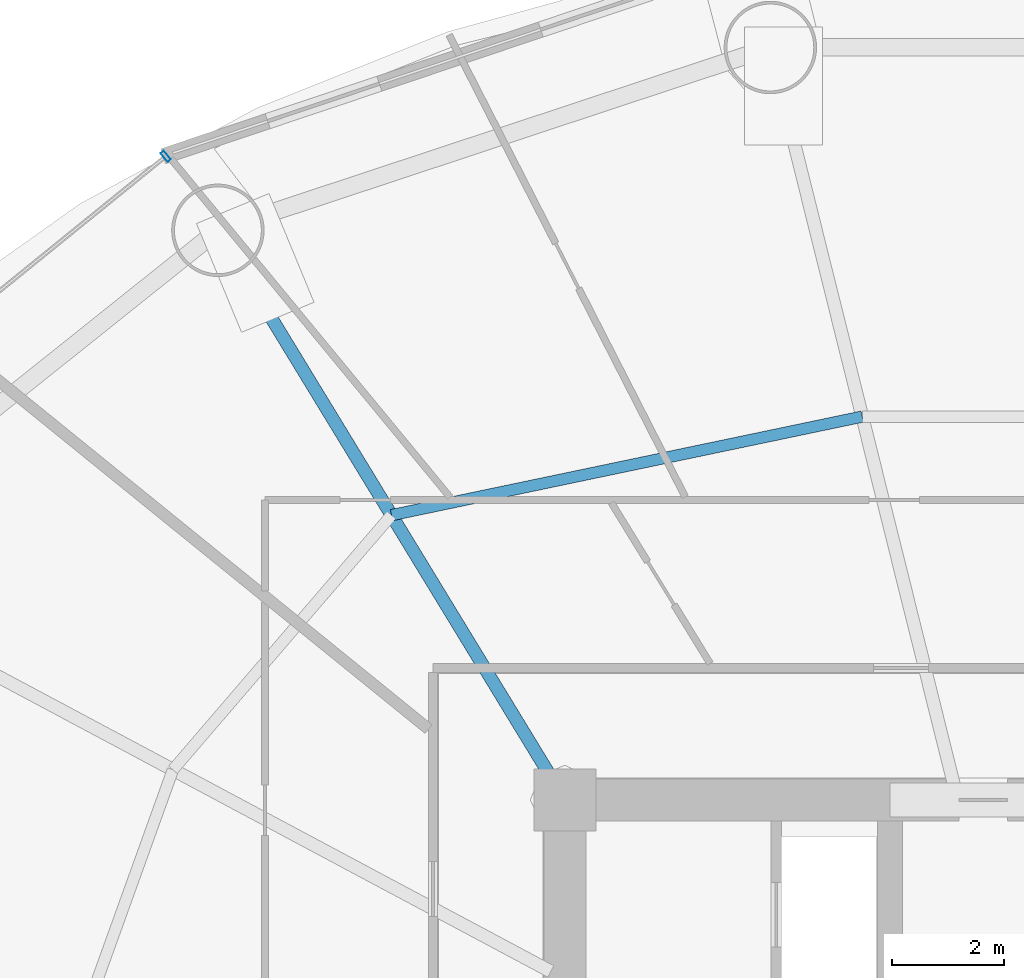
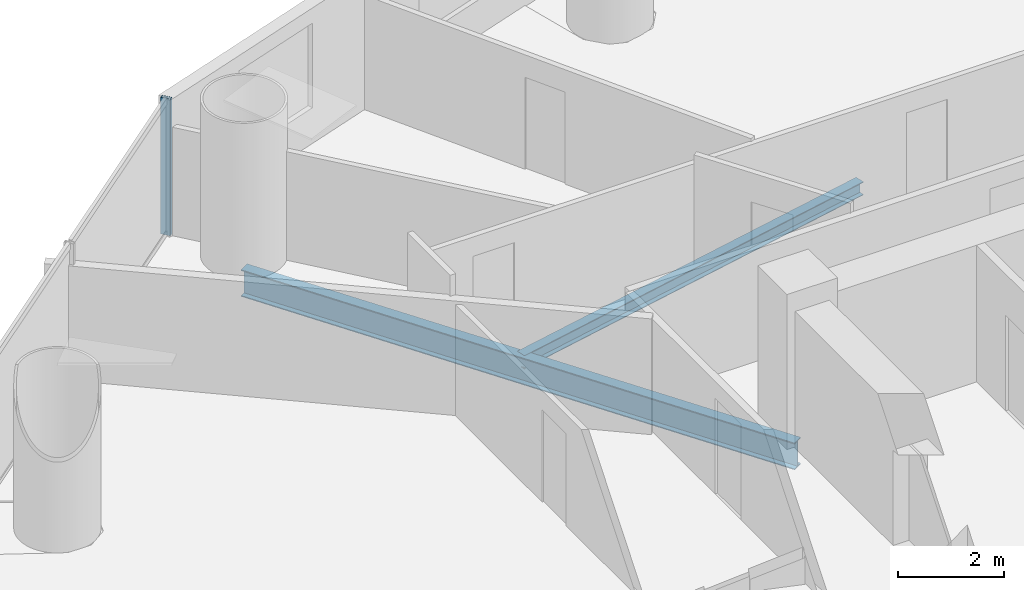
# One storey, part 16 of 29: 2 beams, 1 member, 1 element without a shape of its own.
"""IFC4 building model written with IfcOpenShell, lengths in metres."""

from ifc_helpers import new_model, si_unit, direction, frame, origin, origin_2d, place, context, subcontext, project, spatial, hollow_rectangle, i_section, extrude, source, transform, mapped, material, material_profile, profile_set, type_object, element, aggregate, save


model = new_model("IFC4")

# Units and contexts
model_context = context("Model", 3, precision=1e-05, world=origin(), true_north=direction((-0.2419218956, 0.970295726276)))
body_context = subcontext(model_context, "Body", "Model", "MODEL_VIEW")
ifc_project = project(units=[si_unit("LENGTHUNIT", "METRE"), si_unit("AREAUNIT", "SQUARE_METRE"), si_unit("VOLUMEUNIT", "CUBIC_METRE"), si_unit("PLANEANGLEUNIT", "RADIAN"), si_unit("MASSUNIT", "GRAM", prefix="KILO")], contexts=[model_context])

# Site, building, storey
site_placement = place(None, origin())
site = spatial("IfcSite", under=ifc_project, at=site_placement, CompositionType="ELEMENT")
building_placement = place(site_placement, origin())
building = spatial("IfcBuilding", under=site, at=building_placement, Name="Cobrevalo Terracotta Tower", CompositionType="ELEMENT")
storey_placement = place(building_placement, frame((0.0, 0.0, 70.800048828125)))
storey = spatial("IfcBuildingStorey", under=building, at=storey_placement, Name="L18", CompositionType="ELEMENT", Elevation=70.800048828125)

# Beams
ifc_material_1 = material(Name="Steel S355", Category="steel")
ifc_material_profile_1 = material_profile(ifc_material_1, i_section(OverallWidth=0.22998046875, OverallDepth=0.616943359375, WebThickness=0.01318359375, FlangeThickness=0.022216796875, at=origin_2d()), Name="W 610x140")
ifc_profile_set_1 = profile_set([ifc_material_profile_1], Name="Steel S355")
beam_type_1 = type_object("IfcBeamType", Name="Structural Beam W 610x140 (Steel S355)", PredefinedType="BEAM", material=ifc_profile_set_1)
beam_1_placement = place(storey_placement, frame((22.80517578125, 44.967529296875, -0.588623046875), z_axis=(0.520309892051, -0.853977526773, 0.0), x_axis=(0.853977526773, 0.520309892051, 0.0)))
element("IfcBeam", 1, at=beam_1_placement, inside=storey, type_object=beam_type_1, Name="L18 radial floor girder 06", PredefinedType="BEAM", context=body_context, shape_type="SweptSolid", body=[
    extrude(i_section(OverallWidth=0.22998046875, OverallDepth=0.616943359375, WebThickness=0.01318359375, FlangeThickness=0.022216796875, at=origin_2d()), origin(), (0.0, 0.0, 1.0), 11.906005859375),
])
ifc_material_profile_2 = material_profile(ifc_material_1, i_section(OverallWidth=0.2041015625, OverallDepth=0.305908203125, WebThickness=0.008544921875, FlangeThickness=0.0146484375, at=origin_2d()), Name="W 310x67")
ifc_profile_set_2 = profile_set([ifc_material_profile_2], Name="Steel S355")
beam_type_2 = type_object("IfcBeamType", Name="Structural Joist W 310x67 (Steel S355)", PredefinedType="JOIST", material=ifc_profile_set_2)
beam_2_placement = place(storey_placement, frame((34.304443359375, 41.642578125, -0.43310546875), z_axis=(-0.978784523904, -0.204892302848, 0.0), x_axis=(0.204892302848, -0.978784523904, 0.0)))
element("IfcBeam", 2, at=beam_2_placement, inside=storey, type_object=beam_type_2, Name="L18 circumferential secondary floor joist 05", PredefinedType="JOIST", context=body_context, shape_type="SweptSolid", body=[
    extrude(i_section(OverallWidth=0.2041015625, OverallDepth=0.305908203125, WebThickness=0.008544921875, FlangeThickness=0.0146484375, at=origin_2d()), origin(), (0.0, 0.0, 1.0), 8.583984375),
])

# Curtain wall, member
ifc_material_2 = material(Name="Anodized aluminium", Category="aluminium")
curtain_wall_type = type_object("IfcCurtainWallType", Name="Lower-tower unitised acoustic low-E curtain wall CW-U1", PredefinedType="NOTDEFINED", material=ifc_material_2)
curtain_wall_placement = place(storey_placement, origin())
curtain_wall = element("IfcCurtainWall", 3, at=curtain_wall_placement, inside=storey, type_object=curtain_wall_type, Name="L18 curtain wall CW-L18-S06", PredefinedType="NOTDEFINED")
ifc_material_profile_3 = material_profile(ifc_material_2, hollow_rectangle(XDim=0.074951171875, YDim=0.199951171875, WallThickness=0.0048828125, at=origin_2d()), Name="CWM 75x200")
ifc_profile_set_3 = profile_set([ifc_material_profile_3], Name="Anodized aluminium")
member_type = type_object("IfcMemberType", Name="Lower/mid tower unitised mullion 75x200", PredefinedType="MULLION", material=ifc_profile_set_3)
shared_shape = source(origin(), body_context, "Body", "SweptSolid", [
    extrude(hollow_rectangle(XDim=0.074951171875, YDim=0.199951171875, WallThickness=0.0048828125, at=origin_2d()), origin(), (0.0, 0.0, 1.0), 3.14990234375),
])
member_placement = place(storey_placement, frame((21.8740234375, 46.289306640625, 0.0), z_axis=(0.0, 0.0, 1.0), x_axis=(-0.777003153187, -0.629496703675, 0.0)))
member = element("IfcMember", 4, at=member_placement, type_object=member_type, Name="CW-L18-S06 vertical mullion 01", PredefinedType="MULLION", context=body_context, shape_type="MappedRepresentation", body=[
    mapped(shared_shape, transform((0.0, 0.0, 0.0), scale=1.0)),
])
aggregate(curtain_wall, [member])

save(model, "model.ifc")
